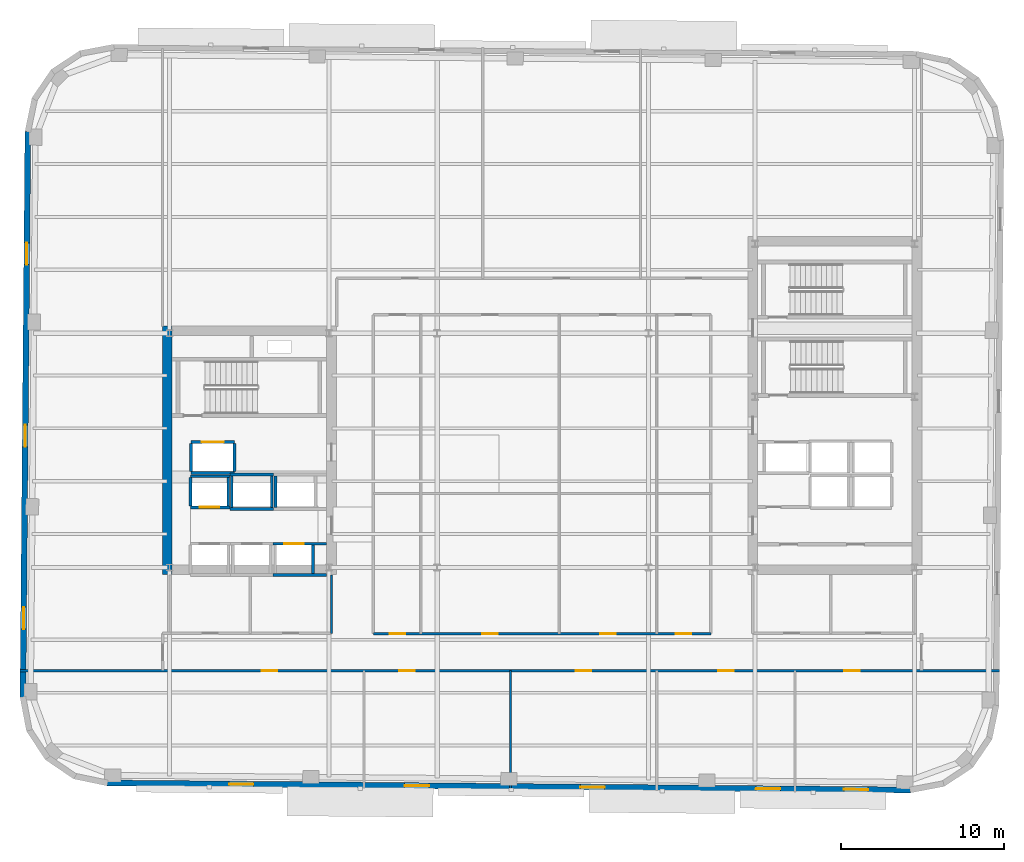
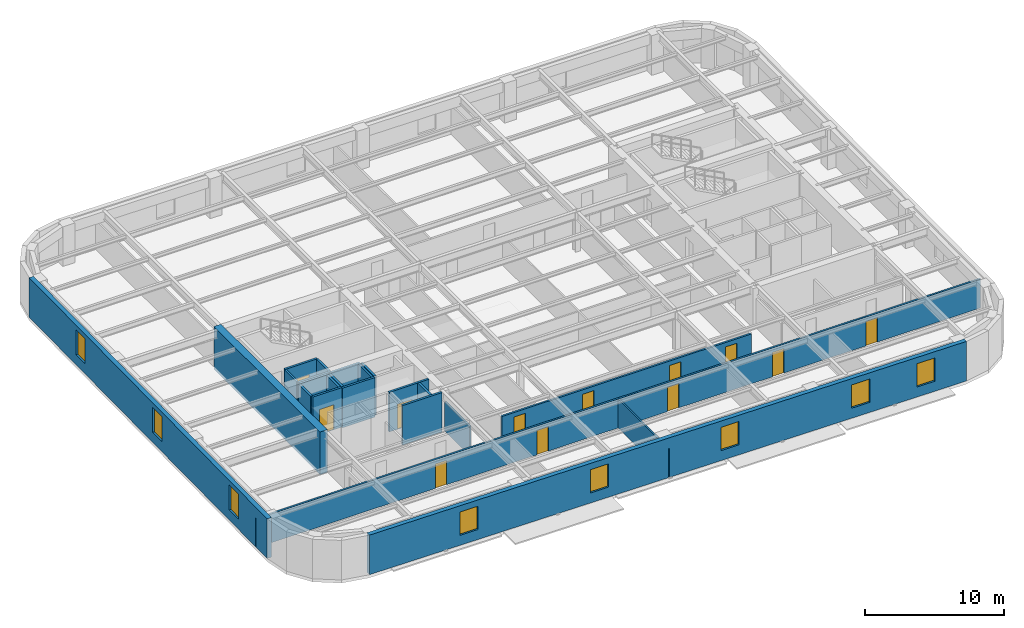
# One storey, part 4 of 11: 23 walls, 12 doors, 8 windows, 20 openings.
"""IFC4 building model written with IfcOpenShell, lengths in metres."""

import ifcopenshell
import ifcopenshell.guid

model = None  # the IFC model being written
_history = None  # IfcOwnerHistory: only IFC2X3 demands one
_inside = {}  # id of a spatial element -> (the spatial element, [elements in it])
_under = {}  # id of a project, library or spatial element -> (it, [spatial elements below it])
_declared = {}  # id of a project -> (the project, [libraries it declares])
_typed = {}  # id of a type object -> (the type object, [elements of that type])
_made_of = {}  # id of a material, layer set ... -> (it, [elements and type objects made of it])


def new_model(schema):
    """Start an empty IFC model of exactly this schema.

    Asked for "IFC4X3", IfcOpenShell would pick the latest addendum, in which some entities
    have other attributes; the version numbers below select the first issue.
    IFC2X3 requires an IfcOwnerHistory on every rooted entity: one is made here for all.
    """
    global model, _history
    if schema == "IFC4X3":
        model = ifcopenshell.file(schema_version=(4, 3, 0, 0))
    else:
        model = ifcopenshell.file(schema=schema)
    _inside.clear()
    _under.clear()
    _declared.clear()
    _typed.clear()
    _made_of.clear()
    _history = None
    if model.schema == "IFC2X3":
        org = make("IfcOrganization", Name="unknown")
        user = make(
            "IfcPersonAndOrganization",
            ThePerson=make("IfcPerson", FamilyName="unknown"),
            TheOrganization=org,
        )
        app = make(
            "IfcApplication",
            ApplicationDeveloper=org,
            Version="unknown",
            ApplicationFullName="unknown",
            ApplicationIdentifier="unknown",
        )
        _history = make(
            "IfcOwnerHistory",
            OwningUser=user,
            OwningApplication=app,
            ChangeAction="ADDED",
            CreationDate=0,
        )
    return model


def make(cls, **values):
    """One entity of the class cls with the attributes given. An attribute that is None is left unset."""
    return model.create_entity(
        cls, **{name: value for name, value in values.items() if value is not None}
    )


def rooted(cls, **values):
    """An entity with a GlobalId (a new one), such as an element, a storey or a relation."""
    return make(cls, GlobalId=ifcopenshell.guid.new(), OwnerHistory=_history, **values)


def si_unit(unit_type, name, prefix=None):
    """IfcSIUnit, for example si_unit("LENGTHUNIT", "METRE", prefix="MILLI")."""
    return make("IfcSIUnit", UnitType=unit_type, Prefix=prefix, Name=name)


def assignment(units):
    """IfcUnitAssignment: the units of a project."""
    return None if units is None else make("IfcUnitAssignment", Units=units)


def point(xyz):
    """IfcCartesianPoint."""
    return None if xyz is None else make("IfcCartesianPoint", Coordinates=xyz)


def direction(xyz):
    """IfcDirection."""
    return None if xyz is None else make("IfcDirection", DirectionRatios=xyz)


def frame(location, z_axis=None, x_axis=None):
    """IfcAxis2Placement3D, a coordinate frame: its origin and axes. An axis left out is left unset."""
    return make(
        "IfcAxis2Placement3D",
        Location=point(location),
        Axis=direction(z_axis),
        RefDirection=direction(x_axis),
    )


def frame_2d(location, x_axis=None):
    """IfcAxis2Placement2D, a coordinate frame in the plane: its origin and x axis."""
    return make(
        "IfcAxis2Placement2D", Location=point(location), RefDirection=direction(x_axis)
    )


def origin():
    """The frame at (0, 0, 0) with its axes left unset."""
    return frame((0.0, 0.0, 0.0))


def place(relative_to, where):
    """IfcLocalPlacement: puts the frame where relative to a parent placement (None: the world)."""
    return make(
        "IfcLocalPlacement", PlacementRelTo=relative_to, RelativePlacement=where
    )


def context(
    kind, dimensions, precision=None, world=None, true_north=None, identifier=None
):
    """IfcGeometricRepresentationContext, for example the 3D "Model" context."""
    return make(
        "IfcGeometricRepresentationContext",
        ContextIdentifier=identifier,
        ContextType=kind,
        CoordinateSpaceDimension=dimensions,
        Precision=precision,
        WorldCoordinateSystem=world,
        TrueNorth=true_north,
    )


def subcontext(parent, identifier, kind, view, scale=None):
    """IfcGeometricRepresentationSubContext, for example "Body" below "Model"."""
    return make(
        "IfcGeometricRepresentationSubContext",
        ContextIdentifier=identifier,
        ContextType=kind,
        ParentContext=parent,
        TargetScale=scale,
        TargetView=view,
    )


def project(units=None, contexts=None):
    """IfcProject with its units and contexts."""
    return rooted(
        "IfcProject",
        Name="project",
        RepresentationContexts=contexts,
        UnitsInContext=assignment(units),
    )


def spatial(cls, under=None, at=None, **own):
    """A site, building, storey or space (cls), placed at a placement, below another one or the project."""
    s = rooted(cls, ObjectPlacement=at, **own)
    if under is not None:
        _under.setdefault(under.id(), (under, []))[1].append(s)
    return s


def profile(cls, at=None, kind="AREA", **sizes):
    """A parametric profile (cls). Its sizes go by their IFC names, for example OverallWidth=200.0."""
    return make(cls, ProfileType=kind, Position=at, **sizes)


def rectangle(**sizes):
    """IfcRectangleProfileDef."""
    return profile("IfcRectangleProfileDef", **sizes)


def extrude(swept, where, along, depth):
    """IfcExtrudedAreaSolid: the profile swept, set in the frame where, extruded along a direction by depth."""
    return make(
        "IfcExtrudedAreaSolid",
        SweptArea=swept,
        Position=where,
        ExtrudedDirection=direction(along),
        Depth=depth,
    )


def shape(context_of_items, identifier, shape_type, items):
    """IfcShapeRepresentation: the items that make up one representation, for example the "Body"."""
    return make(
        "IfcShapeRepresentation",
        ContextOfItems=context_of_items,
        RepresentationIdentifier=identifier,
        RepresentationType=shape_type,
        Items=items,
    )


def material(Name=None, Category=None):
    """IfcMaterial."""
    return make("IfcMaterial", Name=Name, Category=Category)


def layer(
    of_material, thickness, ventilated=None, Name=None, Category=None, Priority=None
):
    """IfcMaterialLayer: one layer of a wall or slab, of a material (None: an air gap)."""
    return make(
        "IfcMaterialLayer",
        Material=of_material,
        LayerThickness=thickness,
        IsVentilated=ventilated,
        Name=Name,
        Category=Category,
        Priority=Priority,
    )


def layer_set(layers, Name=None):
    """IfcMaterialLayerSet."""
    return make("IfcMaterialLayerSet", MaterialLayers=layers, LayerSetName=Name)


def made_of(thing, what):
    """Note that an element or type object is made of a material, layer set ...; save() writes the relation."""
    if what is not None:
        _made_of.setdefault(what.id(), (what, []))[1].append(thing)
    return thing


def type_object(cls, material=None, **own):
    """A type object (cls), such as IfcWallType, which elements share."""
    return made_of(rooted(cls, **own), material)


def element(
    cls,
    number,
    at=None,
    inside=None,
    cuts=None,
    type_object=None,
    material=None,
    context=None,
    identifier="Body",
    shape_type=None,
    held_by="IfcProductDefinitionShape",
    body=None,
    shapes=None,
    **own,
):
    """One element of the class cls, such as IfcWall. Its Tag is "e" and its number.

    at: its placement. inside: the storey or other place that contains it. cuts: it is an
    opening in that element (IfcRelVoidsElement). A single representation is given by context,
    identifier, shape_type and body (its items); several are given by shapes. held_by: the class
    of the entity that holds the representations. save() writes the other relations.
    """
    e = rooted(cls, Tag="e%d" % number, ObjectPlacement=at, **own)
    if body is not None:
        shapes = [shape(context, identifier, shape_type, body)]
    if shapes is not None:
        e.Representation = make(held_by, Representations=shapes)
    if inside is not None:
        _inside.setdefault(inside.id(), (inside, []))[1].append(e)
    if cuts is not None:
        rooted(
            "IfcRelVoidsElement", RelatingBuildingElement=cuts, RelatedOpeningElement=e
        )
    if type_object is not None:
        _typed.setdefault(type_object.id(), (type_object, []))[1].append(e)
    return made_of(e, material)


def fill(opening, filler):
    """IfcRelFillsElement: the door or window that sits in an opening."""
    return rooted(
        "IfcRelFillsElement",
        RelatingOpeningElement=opening,
        RelatedBuildingElement=filler,
    )


def aggregate(whole, parts):
    """IfcRelAggregates: a whole, such as a stair, and the parts it consists of."""
    return rooted("IfcRelAggregates", RelatingObject=whole, RelatedObjects=parts)


def save(model, path):
    """Write the relations noted so far, then the file.

    IfcRelAggregates (storeys below a building ...), IfcRelContainedInSpatialStructure (elements
    in a storey), IfcRelDefinesByType, IfcRelAssociatesMaterial and IfcRelDeclares: one each for
    every whole, place, type object, material and project.
    """
    for whole, parts in _under.values():
        aggregate(whole, parts)
    for where, things in _inside.values():
        rooted(
            "IfcRelContainedInSpatialStructure",
            RelatedElements=things,
            RelatingStructure=where,
        )
    for kind, things in _typed.values():
        rooted("IfcRelDefinesByType", RelatedObjects=things, RelatingType=kind)
    for what, things in _made_of.values():
        rooted("IfcRelAssociatesMaterial", RelatedObjects=things, RelatingMaterial=what)
    for by, libraries in _declared.values():
        rooted("IfcRelDeclares", RelatingContext=by, RelatedDefinitions=libraries)
    model.write(path)


model = new_model("IFC4")

# Units and contexts
model_context = context("Model", 3, precision=1e-05, world=origin(), true_north=direction((0.0, 1.0)))
body_context = subcontext(model_context, "Body", "Model", "MODEL_VIEW")
ifc_project = project(units=[si_unit("LENGTHUNIT", "METRE"), si_unit("AREAUNIT", "SQUARE_METRE"), si_unit("VOLUMEUNIT", "CUBIC_METRE"), si_unit("PLANEANGLEUNIT", "RADIAN"), si_unit("MASSUNIT", "GRAM", prefix="KILO")], contexts=[model_context])

# Site, building, storey
site_placement = place(None, origin())
site = spatial("IfcSite", under=ifc_project, at=site_placement, CompositionType="ELEMENT")
building_placement = place(site_placement, origin())
building = spatial("IfcBuilding", under=site, at=building_placement, Name="Kolvaren Arena Tower", CompositionType="ELEMENT")
storey_placement = place(building_placement, frame((0.0, 0.0, 173.449951171875)))
storey = spatial("IfcBuildingStorey", under=building, at=storey_placement, Name="L41", CompositionType="ELEMENT", Elevation=173.449951171875)

# Wall, openings, doors
ifc_material_1 = material(Name="Gypsum board acoustic assembly", Category="gypsum")
ifc_layer_1 = layer(ifc_material_1, 0.159912109375)
ifc_layer_set_1 = layer_set([ifc_layer_1], Name="Gypsum board acoustic assembly")
wall_type_1 = type_object("IfcWallType", Name="CORR-160", PredefinedType="PARTITIONING", material=ifc_layer_set_1)
wall_1_placement = place(storey_placement, frame((5.363525390625, 13.10009765625, 0.0), z_axis=(0.0, 0.0, 1.0), x_axis=(1.0, 0.0, 0.0)))
wall_1 = element("IfcWall", 1, at=wall_1_placement, inside=storey, type_object=wall_type_1, Name="Interior Partition Wall (L41)", PredefinedType="PARTITIONING", context=body_context, shape_type="SweptSolid", body=[
    extrude(rectangle(XDim=60.202392578125, YDim=0.159912109375, at=frame_2d((30.10107421875, 0.0))), origin(), (0.0, 0.0, 1.0), 2.5400390625),
])
opening_1_placement = place(wall_1_placement, frame((14.861328125, 0.0, 0.0)))
opening_1 = element("IfcOpeningElement", 2, at=opening_1_placement, cuts=wall_1, Name="Opening D05", PredefinedType="OPENING", context=body_context, shape_type="SweptSolid", body=[
    extrude(rectangle(XDim=0.949951171875, YDim=2.14990234375, at=frame_2d((0.47509765625, 1.074951171875))), frame((0.0, 0.08984375, 0.0), z_axis=(0.0, -1.0, 0.0), x_axis=(1.0, 0.0, 0.0)), (0.0, 0.0, 1.0), 0.179931640625),
])
opening_2_placement = place(wall_1_placement, frame((23.311279296875, 0.0, 0.0)))
opening_2 = element("IfcOpeningElement", 3, at=opening_2_placement, cuts=wall_1, Name="Opening D05", PredefinedType="OPENING", context=body_context, shape_type="SweptSolid", body=[
    extrude(rectangle(XDim=0.949951171875, YDim=2.14990234375, at=frame_2d((0.47509765625, 1.074951171875))), frame((0.0, 0.08984375, 0.0), z_axis=(0.0, -1.0, 0.0), x_axis=(1.0, 0.0, 0.0)), (0.0, 0.0, 1.0), 0.179931640625),
])
opening_3_placement = place(wall_1_placement, frame((34.161376953125, 0.0, 0.0)))
opening_3 = element("IfcOpeningElement", 4, at=opening_3_placement, cuts=wall_1, Name="Opening D05", PredefinedType="OPENING", context=body_context, shape_type="SweptSolid", body=[
    extrude(rectangle(XDim=0.949951171875, YDim=2.14990234375, at=frame_2d((0.47509765625, 1.074951171875))), frame((0.0, 0.08984375, 0.0), z_axis=(0.0, -1.0, 0.0), x_axis=(1.0, 0.0, 0.0)), (0.0, 0.0, 1.0), 0.179931640625),
])
opening_4_placement = place(wall_1_placement, frame((42.911376953125, 0.0, 0.0)))
opening_4 = element("IfcOpeningElement", 5, at=opening_4_placement, cuts=wall_1, Name="Opening D05", PredefinedType="OPENING", context=body_context, shape_type="SweptSolid", body=[
    extrude(rectangle(XDim=0.949951171875, YDim=2.14990234375, at=frame_2d((0.47509765625, 1.074951171875))), frame((0.0, 0.08984375, 0.0), z_axis=(0.0, -1.0, 0.0), x_axis=(1.0, 0.0, 0.0)), (0.0, 0.0, 1.0), 0.179931640625),
])
opening_5_placement = place(wall_1_placement, frame((50.661376953125, 0.0, 0.0)))
opening_5 = element("IfcOpeningElement", 6, at=opening_5_placement, cuts=wall_1, Name="Opening D05", PredefinedType="OPENING", context=body_context, shape_type="SweptSolid", body=[
    extrude(rectangle(XDim=0.949951171875, YDim=2.14990234375, at=frame_2d((0.47509765625, 1.074951171875))), frame((0.0, 0.08984375, 0.0), z_axis=(0.0, -1.0, 0.0), x_axis=(1.0, 0.0, 0.0)), (0.0, 0.0, 1.0), 0.179931640625),
])
ifc_material_2 = material(Name="Solid-core oak acoustic office door", Category="wood")
door_type_1 = type_object("IfcDoorType", Name="DOOR-OF-095", OperationType="NOTDEFINED", PredefinedType="DOOR", material=ifc_material_2)
door_1_placement = place(opening_1_placement, origin())
door_1 = element("IfcDoor", 7, at=door_1_placement, inside=storey, type_object=door_type_1, Name="Open Plan Office Door (L41)", OperationType="SINGLE_SWING_LEFT", OverallHeight=2.14990234375, OverallWidth=0.949951171875, PredefinedType="DOOR", context=body_context, shape_type="SweptSolid", body=[
    extrude(rectangle(XDim=0.949951171875, YDim=2.14990234375, at=frame_2d((0.47509765625, 1.074951171875))), frame((0.0, 0.02490234375, 0.0), z_axis=(0.0, -1.0, 0.0), x_axis=(1.0, 0.0, 0.0)), (0.0, 0.0, 1.0), 0.050048828125),
])
fill(opening_1, door_1)
door_2_placement = place(opening_2_placement, origin())
door_2 = element("IfcDoor", 8, at=door_2_placement, inside=storey, type_object=door_type_1, Name="Training Seminar Room Door (L41)", OperationType="SINGLE_SWING_RIGHT", OverallHeight=2.14990234375, OverallWidth=0.949951171875, PredefinedType="DOOR", context=body_context, shape_type="SweptSolid", body=[
    extrude(rectangle(XDim=0.949951171875, YDim=2.14990234375, at=frame_2d((0.47509765625, 1.074951171875))), frame((0.0, 0.02490234375, 0.0), z_axis=(0.0, -1.0, 0.0), x_axis=(1.0, 0.0, 0.0)), (0.0, 0.0, 1.0), 0.050048828125),
])
fill(opening_2, door_2)
door_3_placement = place(opening_3_placement, origin())
door_3 = element("IfcDoor", 9, at=door_3_placement, inside=storey, type_object=door_type_1, Name="Wellness Room Door (L41)", OperationType="SINGLE_SWING_LEFT", OverallHeight=2.14990234375, OverallWidth=0.949951171875, PredefinedType="DOOR", context=body_context, shape_type="SweptSolid", body=[
    extrude(rectangle(XDim=0.949951171875, YDim=2.14990234375, at=frame_2d((0.47509765625, 1.074951171875))), frame((0.0, 0.02490234375, 0.0), z_axis=(0.0, -1.0, 0.0), x_axis=(1.0, 0.0, 0.0)), (0.0, 0.0, 1.0), 0.050048828125),
])
fill(opening_3, door_3)
door_4_placement = place(opening_4_placement, origin())
door_4 = element("IfcDoor", 10, at=door_4_placement, inside=storey, type_object=door_type_1, Name="Executive Office Door (L41)", OperationType="SINGLE_SWING_RIGHT", OverallHeight=2.14990234375, OverallWidth=0.949951171875, PredefinedType="DOOR", context=body_context, shape_type="SweptSolid", body=[
    extrude(rectangle(XDim=0.949951171875, YDim=2.14990234375, at=frame_2d((0.47509765625, 1.074951171875))), frame((0.0, 0.02490234375, 0.0), z_axis=(0.0, -1.0, 0.0), x_axis=(1.0, 0.0, 0.0)), (0.0, 0.0, 1.0), 0.050048828125),
])
fill(opening_4, door_4)
door_5_placement = place(opening_5_placement, origin())
door_5 = element("IfcDoor", 11, at=door_5_placement, inside=storey, type_object=door_type_1, Name="Boardroom Door (L41)", OperationType="SINGLE_SWING_LEFT", OverallHeight=2.14990234375, OverallWidth=0.949951171875, PredefinedType="DOOR", context=body_context, shape_type="SweptSolid", body=[
    extrude(rectangle(XDim=0.949951171875, YDim=2.14990234375, at=frame_2d((0.47509765625, 1.074951171875))), frame((0.0, 0.02490234375, 0.0), z_axis=(0.0, -1.0, 0.0), x_axis=(1.0, 0.0, 0.0)), (0.0, 0.0, 1.0), 0.050048828125),
])
fill(opening_5, door_5)

wall_2_placement = place(storey_placement, frame((27.080078125, 15.3798828125, 0.0), z_axis=(0.0, 0.0, 1.0), x_axis=(1.0, 0.0, 0.0)))
wall_2 = element("IfcWall", 12, at=wall_2_placement, inside=storey, type_object=wall_type_1, Name="Interior Partition Wall (L41)", PredefinedType="PARTITIONING", context=body_context, shape_type="SweptSolid", body=[
    extrude(rectangle(XDim=20.739990234375, YDim=0.159912109375, at=frame_2d((10.3701171875, 0.0))), origin(), (0.0, 0.0, 1.0), 2.5400390625),
])
opening_6_placement = place(wall_2_placement, frame((0.9951171875, 0.0, 0.0)))
opening_6 = element("IfcOpeningElement", 13, at=opening_6_placement, cuts=wall_2, Name="Opening D05", PredefinedType="OPENING", context=body_context, shape_type="SweptSolid", body=[
    extrude(rectangle(XDim=0.949951171875, YDim=2.14990234375, at=frame_2d((0.47509765625, 1.074951171875))), frame((0.0, 0.08984375, 0.0), z_axis=(0.0, -1.0, 0.0), x_axis=(1.0, 0.0, 0.0)), (0.0, 0.0, 1.0), 0.179931640625),
])
opening_7_placement = place(wall_2_placement, frame((6.695068359375, 0.0, 0.0)))
opening_7 = element("IfcOpeningElement", 14, at=opening_7_placement, cuts=wall_2, Name="Opening D05", PredefinedType="OPENING", context=body_context, shape_type="SweptSolid", body=[
    extrude(rectangle(XDim=0.949951171875, YDim=2.14990234375, at=frame_2d((0.47509765625, 1.074951171875))), frame((0.0, 0.08984375, 0.0), z_axis=(0.0, -1.0, 0.0), x_axis=(1.0, 0.0, 0.0)), (0.0, 0.0, 1.0), 0.179931640625),
])
opening_8_placement = place(wall_2_placement, frame((13.945068359375, 0.0, 0.0)))
opening_8 = element("IfcOpeningElement", 15, at=opening_8_placement, cuts=wall_2, Name="Opening D05", PredefinedType="OPENING", context=body_context, shape_type="SweptSolid", body=[
    extrude(rectangle(XDim=0.949951171875, YDim=2.14990234375, at=frame_2d((0.47509765625, 1.074951171875))), frame((0.0, 0.08984375, 0.0), z_axis=(0.0, -1.0, 0.0), x_axis=(1.0, 0.0, 0.0)), (0.0, 0.0, 1.0), 0.179931640625),
])
opening_9_placement = place(wall_2_placement, frame((18.594970703125, 0.0, 0.0)))
opening_9 = element("IfcOpeningElement", 16, at=opening_9_placement, cuts=wall_2, Name="Opening D05", PredefinedType="OPENING", context=body_context, shape_type="SweptSolid", body=[
    extrude(rectangle(XDim=0.949951171875, YDim=2.14990234375, at=frame_2d((0.47509765625, 1.074951171875))), frame((0.0, 0.08984375, 0.0), z_axis=(0.0, -1.0, 0.0), x_axis=(1.0, 0.0, 0.0)), (0.0, 0.0, 1.0), 0.179931640625),
])
door_6_placement = place(opening_6_placement, origin())
door_6 = element("IfcDoor", 17, at=door_6_placement, inside=storey, type_object=door_type_1, Name="Executive Office Door (L41)", OperationType="SINGLE_SWING_RIGHT", OverallHeight=2.14990234375, OverallWidth=0.949951171875, PredefinedType="DOOR", context=body_context, shape_type="SweptSolid", body=[
    extrude(rectangle(XDim=0.949951171875, YDim=2.14990234375, at=frame_2d((0.47509765625, 1.074951171875))), frame((0.0, 0.02490234375, 0.0), z_axis=(0.0, -1.0, 0.0), x_axis=(1.0, 0.0, 0.0)), (0.0, 0.0, 1.0), 0.050048828125),
])
fill(opening_6, door_6)
door_7_placement = place(opening_7_placement, origin())
door_7 = element("IfcDoor", 18, at=door_7_placement, inside=storey, type_object=door_type_1, Name="Breakout Pantry and Kitchen Door (L41)", OperationType="SINGLE_SWING_RIGHT", OverallHeight=2.14990234375, OverallWidth=0.949951171875, PredefinedType="DOOR", context=body_context, shape_type="SweptSolid", body=[
    extrude(rectangle(XDim=0.949951171875, YDim=2.14990234375, at=frame_2d((0.47509765625, 1.074951171875))), frame((0.0, 0.02490234375, 0.0), z_axis=(0.0, -1.0, 0.0), x_axis=(1.0, 0.0, 0.0)), (0.0, 0.0, 1.0), 0.050048828125),
])
fill(opening_7, door_7)
door_8_placement = place(opening_8_placement, origin())
door_8 = element("IfcDoor", 19, at=door_8_placement, inside=storey, type_object=door_type_1, Name="Training Seminar Room Door (L41)", OperationType="SINGLE_SWING_RIGHT", OverallHeight=2.14990234375, OverallWidth=0.949951171875, PredefinedType="DOOR", context=body_context, shape_type="SweptSolid", body=[
    extrude(rectangle(XDim=0.949951171875, YDim=2.14990234375, at=frame_2d((0.47509765625, 1.074951171875))), frame((0.0, 0.02490234375, 0.0), z_axis=(0.0, -1.0, 0.0), x_axis=(1.0, 0.0, 0.0)), (0.0, 0.0, 1.0), 0.050048828125),
])
fill(opening_8, door_8)
door_9_placement = place(opening_9_placement, origin())
door_9 = element("IfcDoor", 20, at=door_9_placement, inside=storey, type_object=door_type_1, Name="Executive Office Door (L41)", OperationType="SINGLE_SWING_RIGHT", OverallHeight=2.14990234375, OverallWidth=0.949951171875, PredefinedType="DOOR", context=body_context, shape_type="SweptSolid", body=[
    extrude(rectangle(XDim=0.949951171875, YDim=2.14990234375, at=frame_2d((0.47509765625, 1.074951171875))), frame((0.0, 0.02490234375, 0.0), z_axis=(0.0, -1.0, 0.0), x_axis=(1.0, 0.0, 0.0)), (0.0, 0.0, 1.0), 0.050048828125),
])
fill(opening_9, door_9)

# Wall
ifc_material_3 = material(Name="Concrete 60 MPa", Category="concrete")
ifc_layer_2 = layer(ifc_material_3, 0.60009765625)
ifc_layer_set_2 = layer_set([ifc_layer_2], Name="Concrete 60 MPa")
wall_type_2 = type_object("IfcWallType", Name="CWALL-600", PredefinedType="SHEAR", material=ifc_layer_set_2)
wall_3_placement = place(storey_placement, frame((14.39990234375, 19.0, -0.27001953125), z_axis=(0.0, 0.0, 1.0), x_axis=(0.0, 1.0, 0.0)))
element("IfcWall", 21, at=wall_3_placement, inside=storey, type_object=wall_type_2, Name="Core Shear Wall WC-WEST (L41)", PredefinedType="SHEAR", context=body_context, shape_type="SweptSolid", body=[
    extrude(rectangle(XDim=15.300048828125, YDim=0.60009765625, at=frame_2d((7.64990234375, 0.0))), origin(), (0.0, 0.0, 1.0), 3.75),
])

# Wall, openings, windows
ifc_material_4 = material(Name="Precast concrete C50/60", Category="concrete")
ifc_layer_3 = layer(ifc_material_4, 0.360107421875)
ifc_layer_set_3 = layer_set([ifc_layer_3], Name="Precast concrete C50/60")
wall_type_3 = type_object("IfcWallType", Name="EXT-PIER2", PredefinedType="SOLIDWALL", material=ifc_layer_set_3)
wall_4_placement = place(storey_placement, frame((5.529296875, 11.461669921875, 0.0), z_axis=(0.0, 0.0, 1.0), x_axis=(0.008727287311, 0.999961916503, 0.0)))
wall_4 = element("IfcWall", 22, at=wall_4_placement, inside=storey, type_object=wall_type_3, Name="Exterior Precast Masonry-Frame Wall (L41)", PredefinedType="SOLIDWALL", context=body_context, shape_type="SweptSolid", body=[
    extrude(rectangle(XDim=34.800048828125, YDim=0.360107421875, at=frame_2d((17.39990234375, 0.0))), origin(), (0.0, 0.0, 1.0), 3.47998046875),
])
opening_10_placement = place(wall_4_placement, frame((4.199951171875, 0.0, 0.8798828125)))
opening_10 = element("IfcOpeningElement", 23, at=opening_10_placement, cuts=wall_4, Name="Opening W04", PredefinedType="OPENING", context=body_context, shape_type="SweptSolid", body=[
    extrude(rectangle(XDim=1.35009765625, YDim=2.199951171875, at=frame_2d((0.675048828125, 1.10009765625))), frame((0.0, 0.18994140625, 0.0), z_axis=(0.0, -1.0, 0.0), x_axis=(1.0, 0.0, 0.0)), (0.0, 0.0, 1.0), 0.380126953125),
])
opening_11_placement = place(wall_4_placement, frame((15.39990234375, 0.0, 0.8798828125)))
opening_11 = element("IfcOpeningElement", 24, at=opening_11_placement, cuts=wall_4, Name="Opening W04", PredefinedType="OPENING", context=body_context, shape_type="SweptSolid", body=[
    extrude(rectangle(XDim=1.35009765625, YDim=2.199951171875, at=frame_2d((0.675048828125, 1.10009765625))), frame((0.0, 0.18994140625, 0.0), z_axis=(0.0, -1.0, 0.0), x_axis=(1.0, 0.0, 0.0)), (0.0, 0.0, 1.0), 0.380126953125),
])
opening_12_placement = place(wall_4_placement, frame((26.60009765625, 0.0, 0.8798828125)))
opening_12 = element("IfcOpeningElement", 25, at=opening_12_placement, cuts=wall_4, Name="Opening W04", PredefinedType="OPENING", context=body_context, shape_type="SweptSolid", body=[
    extrude(rectangle(XDim=1.35009765625, YDim=2.199951171875, at=frame_2d((0.675048828125, 1.10009765625))), frame((0.0, 0.18994140625, 0.0), z_axis=(0.0, -1.0, 0.0), x_axis=(1.0, 0.0, 0.0)), (0.0, 0.0, 1.0), 0.380126953125),
])
ifc_material_5 = material(Name="Triple-glazed curved-facet corner window", Category="glass")
window_type_1 = type_object("IfcWindowType", Name="WIN-CRN-A", PartitioningType="SINGLE_PANEL", PredefinedType="WINDOW", material=ifc_material_5)
window_1_placement = place(opening_10_placement, origin())
window_1 = element("IfcWindow", 26, at=window_1_placement, inside=storey, type_object=window_type_1, Name="End-Wall Punched Window (L41)", OverallHeight=2.199951171875, OverallWidth=1.35009765625, PartitioningType="SINGLE_PANEL", PredefinedType="WINDOW", context=body_context, shape_type="SweptSolid", body=[
    extrude(rectangle(XDim=1.35009765625, YDim=2.199951171875, at=frame_2d((0.675048828125, 1.10009765625))), frame((0.0, 0.030029296875, 0.0), z_axis=(0.0, -1.0, 0.0), x_axis=(1.0, 0.0, 0.0)), (0.0, 0.0, 1.0), 0.06005859375),
])
fill(opening_10, window_1)
window_2_placement = place(opening_11_placement, origin())
window_2 = element("IfcWindow", 27, at=window_2_placement, inside=storey, type_object=window_type_1, Name="End-Wall Punched Window (L41)", OverallHeight=2.199951171875, OverallWidth=1.35009765625, PartitioningType="SINGLE_PANEL", PredefinedType="WINDOW", context=body_context, shape_type="SweptSolid", body=[
    extrude(rectangle(XDim=1.35009765625, YDim=2.199951171875, at=frame_2d((0.675048828125, 1.10009765625))), frame((0.0, 0.030029296875, 0.0), z_axis=(0.0, -1.0, 0.0), x_axis=(1.0, 0.0, 0.0)), (0.0, 0.0, 1.0), 0.06005859375),
])
fill(opening_11, window_2)
window_3_placement = place(opening_12_placement, origin())
window_3 = element("IfcWindow", 28, at=window_3_placement, inside=storey, type_object=window_type_1, Name="End-Wall Punched Window (L41)", OverallHeight=2.199951171875, OverallWidth=1.35009765625, PartitioningType="SINGLE_PANEL", PredefinedType="WINDOW", context=body_context, shape_type="SweptSolid", body=[
    extrude(rectangle(XDim=1.35009765625, YDim=2.199951171875, at=frame_2d((0.675048828125, 1.10009765625))), frame((0.0, 0.030029296875, 0.0), z_axis=(0.0, -1.0, 0.0), x_axis=(1.0, 0.0, 0.0)), (0.0, 0.0, 1.0), 0.06005859375),
])
fill(opening_12, window_3)

wall_5_placement = place(storey_placement, frame((60.101806640625, 5.765380859375, 0.0), z_axis=(0.0, 0.0, 1.0), x_axis=(-0.999961955436, 0.008722825272, 0.0)))
wall_5 = element("IfcWall", 29, at=wall_5_placement, inside=storey, type_object=wall_type_3, Name="Exterior Precast Masonry-Frame Wall (L41)", PredefinedType="SOLIDWALL", context=body_context, shape_type="SweptSolid", body=[
    extrude(rectangle(XDim=49.400146484375, YDim=0.360107421875, at=frame_2d((24.7001953125, 0.0))), origin(), (0.0, 0.0, 1.0), 3.47998046875),
])
opening_13_placement = place(wall_5_placement, frame((2.60009765625, 0.0, 0.8798828125)))
opening_13 = element("IfcOpeningElement", 30, at=opening_13_placement, cuts=wall_5, Name="Opening W03", PredefinedType="OPENING", context=body_context, shape_type="SweptSolid", body=[
    extrude(rectangle(XDim=1.5, YDim=2.050048828125, at=frame_2d((0.75, 1.02490234375))), frame((0.0, 0.18994140625, 0.0), z_axis=(0.0, -1.0, 0.0), x_axis=(1.0, 0.0, 0.0)), (0.0, 0.0, 1.0), 0.380126953125),
])
opening_14_placement = place(wall_5_placement, frame((8.0, 0.0, 0.8798828125)))
opening_14 = element("IfcOpeningElement", 31, at=opening_14_placement, cuts=wall_5, Name="Opening W03", PredefinedType="OPENING", context=body_context, shape_type="SweptSolid", body=[
    extrude(rectangle(XDim=1.5, YDim=2.050048828125, at=frame_2d((0.75, 1.02490234375))), frame((0.0, 0.18994140625, 0.0), z_axis=(0.0, -1.0, 0.0), x_axis=(1.0, 0.0, 0.0)), (0.0, 0.0, 1.0), 0.380126953125),
])
opening_15_placement = place(wall_5_placement, frame((18.800048828125, 0.0, 0.8798828125)))
opening_15 = element("IfcOpeningElement", 32, at=opening_15_placement, cuts=wall_5, Name="Opening W03", PredefinedType="OPENING", context=body_context, shape_type="SweptSolid", body=[
    extrude(rectangle(XDim=1.5, YDim=2.050048828125, at=frame_2d((0.75, 1.02490234375))), frame((0.0, 0.18994140625, 0.0), z_axis=(0.0, -1.0, 0.0), x_axis=(1.0, 0.0, 0.0)), (0.0, 0.0, 1.0), 0.380126953125),
])
opening_16_placement = place(wall_5_placement, frame((29.60009765625, 0.0, 0.8798828125)))
opening_16 = element("IfcOpeningElement", 33, at=opening_16_placement, cuts=wall_5, Name="Opening W03", PredefinedType="OPENING", context=body_context, shape_type="SweptSolid", body=[
    extrude(rectangle(XDim=1.5, YDim=2.050048828125, at=frame_2d((0.75, 1.02490234375))), frame((0.0, 0.18994140625, 0.0), z_axis=(0.0, -1.0, 0.0), x_axis=(1.0, 0.0, 0.0)), (0.0, 0.0, 1.0), 0.380126953125),
])
opening_17_placement = place(wall_5_placement, frame((40.39990234375, 0.0, 0.8798828125)))
opening_17 = element("IfcOpeningElement", 34, at=opening_17_placement, cuts=wall_5, Name="Opening W03", PredefinedType="OPENING", context=body_context, shape_type="SweptSolid", body=[
    extrude(rectangle(XDim=1.5, YDim=2.050048828125, at=frame_2d((0.75, 1.02490234375))), frame((0.0, 0.18994140625, 0.0), z_axis=(0.0, -1.0, 0.0), x_axis=(1.0, 0.0, 0.0)), (0.0, 0.0, 1.0), 0.380126953125),
])
ifc_material_6 = material(Name="Triple-glazed low-E aluminium window", Category="aluminium")
window_type_2 = type_object("IfcWindowType", Name="WIN-OFF-C", PartitioningType="SINGLE_PANEL", PredefinedType="WINDOW", material=ifc_material_6)
window_4_placement = place(opening_13_placement, origin())
window_4 = element("IfcWindow", 35, at=window_4_placement, inside=storey, type_object=window_type_2, Name="Punched Precast-Pier Window (L41)", OverallHeight=2.050048828125, OverallWidth=1.5, PartitioningType="SINGLE_PANEL", PredefinedType="WINDOW", context=body_context, shape_type="SweptSolid", body=[
    extrude(rectangle(XDim=1.5, YDim=2.050048828125, at=frame_2d((0.75, 1.02490234375))), frame((0.0, 0.030029296875, 0.0), z_axis=(0.0, -1.0, 0.0), x_axis=(1.0, 0.0, 0.0)), (0.0, 0.0, 1.0), 0.06005859375),
])
fill(opening_13, window_4)
window_5_placement = place(opening_14_placement, origin())
window_5 = element("IfcWindow", 36, at=window_5_placement, inside=storey, type_object=window_type_2, Name="Punched Precast-Pier Window (L41)", OverallHeight=2.050048828125, OverallWidth=1.5, PartitioningType="SINGLE_PANEL", PredefinedType="WINDOW", context=body_context, shape_type="SweptSolid", body=[
    extrude(rectangle(XDim=1.5, YDim=2.050048828125, at=frame_2d((0.75, 1.02490234375))), frame((0.0, 0.030029296875, 0.0), z_axis=(0.0, -1.0, 0.0), x_axis=(1.0, 0.0, 0.0)), (0.0, 0.0, 1.0), 0.06005859375),
])
fill(opening_14, window_5)
window_6_placement = place(opening_15_placement, origin())
window_6 = element("IfcWindow", 37, at=window_6_placement, inside=storey, type_object=window_type_2, Name="Punched Precast-Pier Window (L41)", OverallHeight=2.050048828125, OverallWidth=1.5, PartitioningType="SINGLE_PANEL", PredefinedType="WINDOW", context=body_context, shape_type="SweptSolid", body=[
    extrude(rectangle(XDim=1.5, YDim=2.050048828125, at=frame_2d((0.75, 1.02490234375))), frame((0.0, 0.030029296875, 0.0), z_axis=(0.0, -1.0, 0.0), x_axis=(1.0, 0.0, 0.0)), (0.0, 0.0, 1.0), 0.06005859375),
])
fill(opening_15, window_6)
window_7_placement = place(opening_16_placement, origin())
window_7 = element("IfcWindow", 38, at=window_7_placement, inside=storey, type_object=window_type_2, Name="Punched Precast-Pier Window (L41)", OverallHeight=2.050048828125, OverallWidth=1.5, PartitioningType="SINGLE_PANEL", PredefinedType="WINDOW", context=body_context, shape_type="SweptSolid", body=[
    extrude(rectangle(XDim=1.5, YDim=2.050048828125, at=frame_2d((0.75, 1.02490234375))), frame((0.0, 0.030029296875, 0.0), z_axis=(0.0, -1.0, 0.0), x_axis=(1.0, 0.0, 0.0)), (0.0, 0.0, 1.0), 0.06005859375),
])
fill(opening_16, window_7)
window_8_placement = place(opening_17_placement, origin())
window_8 = element("IfcWindow", 39, at=window_8_placement, inside=storey, type_object=window_type_2, Name="Punched Precast-Pier Window (L41)", OverallHeight=2.050048828125, OverallWidth=1.5, PartitioningType="SINGLE_PANEL", PredefinedType="WINDOW", context=body_context, shape_type="SweptSolid", body=[
    extrude(rectangle(XDim=1.5, YDim=2.050048828125, at=frame_2d((0.75, 1.02490234375))), frame((0.0, 0.030029296875, 0.0), z_axis=(0.0, -1.0, 0.0), x_axis=(1.0, 0.0, 0.0)), (0.0, 0.0, 1.0), 0.06005859375),
])
fill(opening_17, window_8)

# Wall
ifc_material_7 = material(Name="Gypsum board partition assembly", Category="gypsum")
ifc_layer_4 = layer(ifc_material_7, 0.135009765625)
ifc_layer_set_4 = layer_set([ifc_layer_4], Name="Gypsum board partition assembly")
wall_type_4 = type_object("IfcWallType", Name="PART-135", PredefinedType="PARTITIONING", material=ifc_layer_set_4)
wall_6_placement = place(storey_placement, frame((35.5, 5.800048828125, 0.0), z_axis=(0.0, 0.0, 1.0), x_axis=(0.0, 1.0, 0.0)))
element("IfcWall", 40, at=wall_6_placement, inside=storey, type_object=wall_type_4, Name="Interior Partition Wall (L41)", PredefinedType="PARTITIONING", context=body_context, shape_type="SweptSolid", body=[
    extrude(rectangle(XDim=7.300048828125, YDim=0.135009765625, at=frame_2d((3.64990234375, 0.0))), origin(), (0.0, 0.0, 1.0), 2.5400390625),
])

# Wall, opening, door
ifc_material_8 = material(Name="Concrete 45 MPa", Category="concrete")
ifc_layer_5 = layer(ifc_material_8, 0.25)
ifc_layer_set_5 = layer_set([ifc_layer_5], Name="Concrete 45 MPa")
wall_type_5 = type_object("IfcWallType", Name="SHAFT-250", PredefinedType="SOLIDWALL", material=ifc_layer_set_5)
wall_7_placement = place(storey_placement, frame((20.89990234375, 20.905029296875, 0.0), z_axis=(0.0, 0.0, 1.0), x_axis=(1.0, 0.0, 0.0)))
wall_7 = element("IfcWall", 41, at=wall_7_placement, inside=storey, type_object=wall_type_5, Name="Core Shaft Wall (L41)", PredefinedType="SOLIDWALL", context=body_context, shape_type="SweptSolid", body=[
    extrude(rectangle(XDim=3.300048828125, YDim=0.179931640625, at=frame_2d((1.64990234375, 0.0))), origin(), (0.0, 0.0, 1.0), 3.47998046875),
])
opening_18_placement = place(wall_7_placement, frame((0.699951171875, 0.0, 0.0)))
opening_18 = element("IfcOpeningElement", 42, at=opening_18_placement, cuts=wall_7, Name="Opening LD1", PredefinedType="OPENING", context=body_context, shape_type="SweptSolid", body=[
    extrude(rectangle(XDim=1.199951171875, YDim=2.199951171875, at=frame_2d((0.60009765625, 1.10009765625))), frame((0.0, 0.099853515625, 0.0), z_axis=(0.0, -1.0, 0.0), x_axis=(1.0, 0.0, 0.0)), (0.0, 0.0, 1.0), 0.199951171875),
])
ifc_material_9 = material(Name="Stainless steel passenger lift landing door", Category="steel")
door_type_2 = type_object("IfcDoorType", Name="DOOR-LD-120", OperationType="DOUBLE_DOOR_SLIDING", PredefinedType="DOOR", material=ifc_material_9)
door_10_placement = place(opening_18_placement, origin())
door_10 = element("IfcDoor", 43, at=door_10_placement, inside=storey, type_object=door_type_2, Name="Lift EL-MR3 Landing Door (L41)", OperationType="DOUBLE_DOOR_SLIDING", OverallHeight=2.199951171875, OverallWidth=1.199951171875, PredefinedType="DOOR", context=body_context, shape_type="SweptSolid", body=[
    extrude(rectangle(XDim=1.199951171875, YDim=2.199951171875, at=frame_2d((0.60009765625, 1.10009765625))), frame((0.0, 0.02490234375, 0.0), z_axis=(0.0, -1.0, 0.0), x_axis=(1.0, 0.0, 0.0)), (0.0, 0.0, 1.0), 0.050048828125),
])
fill(opening_18, door_10)

# Walls
wall_8_placement = place(storey_placement, frame((20.89990234375, 18.9951171875, 0.0), z_axis=(0.0, 0.0, 1.0), x_axis=(1.0, 0.0, 0.0)))
element("IfcWall", 44, at=wall_8_placement, inside=storey, type_object=wall_type_5, Name="Core Shaft Wall (L41)", PredefinedType="SOLIDWALL", context=body_context, shape_type="SweptSolid", body=[
    extrude(rectangle(XDim=3.300048828125, YDim=0.179931640625, at=frame_2d((1.64990234375, 0.0))), origin(), (0.0, 0.0, 1.0), 3.47998046875),
])
wall_9_placement = place(storey_placement, frame((23.35498046875, 19.0849609375, 0.0), z_axis=(0.0, 0.0, 1.0), x_axis=(0.0, 1.0, 0.0)))
element("IfcWall", 45, at=wall_9_placement, inside=storey, type_object=wall_type_5, Name="Core Shaft Wall (L41)", PredefinedType="SOLIDWALL", context=body_context, shape_type="SweptSolid", body=[
    extrude(rectangle(XDim=1.72998046875, YDim=0.179931640625, at=frame_2d((0.864990234375, 0.0))), origin(), (0.0, 0.0, 1.0), 3.47998046875),
])
wall_10_placement = place(storey_placement, frame((15.844970703125, 25.054931640625, 0.0), z_axis=(0.0, 0.0, 1.0), x_axis=(1.0, 0.0, 0.0)))
element("IfcWall", 46, at=wall_10_placement, inside=storey, type_object=wall_type_5, Name="Core Shaft Wall (L41)", PredefinedType="SOLIDWALL", context=body_context, shape_type="SweptSolid", body=[
    extrude(rectangle(XDim=2.41748046875, YDim=0.179931640625, at=frame_2d((1.208740234375, 0.0))), origin(), (0.0, 0.0, 1.0), 3.47998046875),
])

# Wall, opening, door
wall_11_placement = place(storey_placement, frame((15.844970703125, 23.14501953125, 0.0), z_axis=(0.0, 0.0, 1.0), x_axis=(1.0, 0.0, 0.0)))
wall_11 = element("IfcWall", 47, at=wall_11_placement, inside=storey, type_object=wall_type_5, Name="Core Shaft Wall (L41)", PredefinedType="SOLIDWALL", context=body_context, shape_type="SweptSolid", body=[
    extrude(rectangle(XDim=2.41748046875, YDim=0.179931640625, at=frame_2d((1.208740234375, 0.0))), origin(), (0.0, 0.0, 1.0), 3.47998046875),
])
opening_19_placement = place(wall_11_placement, frame((0.554931640625, 0.0, 0.0)))
opening_19 = element("IfcOpeningElement", 48, at=opening_19_placement, cuts=wall_11, Name="Opening LD1", PredefinedType="OPENING", context=body_context, shape_type="SweptSolid", body=[
    extrude(rectangle(XDim=1.199951171875, YDim=2.199951171875, at=frame_2d((0.60009765625, 1.10009765625))), frame((0.0, 0.099853515625, 0.0), z_axis=(0.0, -1.0, 0.0), x_axis=(1.0, 0.0, 0.0)), (0.0, 0.0, 1.0), 0.199951171875),
])
door_11_placement = place(opening_19_placement, origin())
door_11 = element("IfcDoor", 49, at=door_11_placement, inside=storey, type_object=door_type_2, Name="Lift EL-MR4 Landing Door (L41)", OperationType="DOUBLE_DOOR_SLIDING", OverallHeight=2.199951171875, OverallWidth=1.199951171875, PredefinedType="DOOR", context=body_context, shape_type="SweptSolid", body=[
    extrude(rectangle(XDim=1.199951171875, YDim=2.199951171875, at=frame_2d((0.60009765625, 1.10009765625))), frame((0.0, 0.02490234375, 0.0), z_axis=(0.0, -1.0, 0.0), x_axis=(1.0, 0.0, 0.0)), (0.0, 0.0, 1.0), 0.050048828125),
])
fill(opening_19, door_11)

# Walls
for number, where, z_axis, x_axis, name in (
    (50, (15.844970703125, 23.235107421875, 0.0), (0.0, 0.0, 1.0), (0.0, 1.0, 0.0), "Core Shaft Wall (L41)"),
    (51, (18.155029296875, 23.235107421875, 0.0), (0.0, 0.0, 1.0), (0.0, 1.0, 0.0), "Core Shaft Wall (L41)"),
):
    element("IfcWall", number, at=place(storey_placement, frame(where, z_axis=z_axis, x_axis=x_axis)), inside=storey, type_object=wall_type_5, Name=name, PredefinedType="SOLIDWALL", context=body_context, shape_type="SweptSolid", body=[
        extrude(rectangle(XDim=1.72998046875, YDim=0.179931640625, at=frame_2d((0.864990234375, 0.0))), origin(), (0.0, 0.0, 1.0), 3.47998046875),
    ])
for number, where, z_axis, x_axis, name in (
    (52, (18.262451171875, 25.155029296875, 0.0), (0.0, 0.0, 1.0), (1.0, 0.0, 0.0), "Core Shaft Wall (L41)"),
    (53, (18.262451171875, 23.044921875, 0.0), (0.0, 0.0, 1.0), (1.0, 0.0, 0.0), "Core Shaft Wall (L41)"),
):
    element("IfcWall", number, at=place(storey_placement, frame(where, z_axis=z_axis, x_axis=x_axis)), inside=storey, type_object=wall_type_5, Name=name, PredefinedType="SOLIDWALL", context=body_context, shape_type="SweptSolid", body=[
        extrude(rectangle(XDim=2.6875, YDim=0.179931640625, at=frame_2d((1.34375, 0.0))), origin(), (0.0, 0.0, 1.0), 3.47998046875),
    ])
for number, where, z_axis, x_axis, name in (
    (54, (18.3701171875, 23.135009765625, 0.0), (0.0, 0.0, 1.0), (0.0, 1.0, 0.0), "Core Shaft Wall (L41)"),
    (55, (20.830078125, 23.135009765625, 0.0), (0.0, 0.0, 1.0), (0.0, 1.0, 0.0), "Core Shaft Wall (L41)"),
    (56, (21.070068359375, 23.135009765625, 0.0), (0.0, 0.0, 1.0), (0.0, 1.0, 0.0), "Core Shaft Wall (L41)"),
):
    element("IfcWall", number, at=place(storey_placement, frame(where, z_axis=z_axis, x_axis=x_axis)), inside=storey, type_object=wall_type_5, Name=name, PredefinedType="SOLIDWALL", context=body_context, shape_type="SweptSolid", body=[
        extrude(rectangle(XDim=1.929931640625, YDim=0.179931640625, at=frame_2d((0.96484375, 0.0))), origin(), (0.0, 0.0, 1.0), 3.47998046875),
    ])

# Wall, opening, door
wall_12_placement = place(storey_placement, frame((15.8701171875, 27.155029296875, 0.0), z_axis=(0.0, 0.0, 1.0), x_axis=(1.0, 0.0, 0.0)))
wall_12 = element("IfcWall", 57, at=wall_12_placement, inside=storey, type_object=wall_type_5, Name="Core Shaft Wall (L41)", PredefinedType="SOLIDWALL", context=body_context, shape_type="SweptSolid", body=[
    extrude(rectangle(XDim=2.659912109375, YDim=0.179931640625, at=frame_2d((1.330078125, 0.0))), origin(), (0.0, 0.0, 1.0), 3.47998046875),
])
opening_20_placement = place(wall_12_placement, frame((0.655029296875, 0.0, 0.0)))
opening_20 = element("IfcOpeningElement", 58, at=opening_20_placement, cuts=wall_12, Name="Opening LD2", PredefinedType="OPENING", context=body_context, shape_type="SweptSolid", body=[
    extrude(rectangle(XDim=1.35009765625, YDim=2.300048828125, at=frame_2d((0.675048828125, 1.14990234375))), frame((0.0, 0.099853515625, 0.0), z_axis=(0.0, -1.0, 0.0), x_axis=(1.0, 0.0, 0.0)), (0.0, 0.0, 1.0), 0.199951171875),
])
ifc_material_10 = material(Name="Stainless steel firefighter lift landing door", Category="steel")
door_type_3 = type_object("IfcDoorType", Name="DOOR-LD-135", OperationType="DOUBLE_DOOR_SLIDING", PredefinedType="DOOR", material=ifc_material_10)
door_12_placement = place(opening_20_placement, origin())
door_12 = element("IfcDoor", 59, at=door_12_placement, inside=storey, type_object=door_type_3, Name="Firefighter Lift FF-W1 Landing Door (L41)", OperationType="DOUBLE_DOOR_SLIDING", OverallHeight=2.300048828125, OverallWidth=1.35009765625, PredefinedType="DOOR", context=body_context, shape_type="SweptSolid", body=[
    extrude(rectangle(XDim=1.35009765625, YDim=2.300048828125, at=frame_2d((0.675048828125, 1.14990234375))), frame((0.0, 0.02490234375, 0.0), z_axis=(0.0, -1.0, 0.0), x_axis=(1.0, 0.0, 0.0)), (0.0, 0.0, 1.0), 0.050048828125),
])
fill(opening_20, door_12)

# Walls
wall_13_placement = place(storey_placement, frame((15.8701171875, 25.2451171875, 0.0), z_axis=(0.0, 0.0, 1.0), x_axis=(1.0, 0.0, 0.0)))
element("IfcWall", 60, at=wall_13_placement, inside=storey, type_object=wall_type_5, Name="Core Shaft Wall (L41)", PredefinedType="SOLIDWALL", context=body_context, shape_type="SweptSolid", body=[
    extrude(rectangle(XDim=2.659912109375, YDim=0.179931640625, at=frame_2d((1.330078125, 0.0))), origin(), (0.0, 0.0, 1.0), 3.47998046875),
])
for number, where, z_axis, x_axis, name in (
    (61, (15.8701171875, 25.3349609375, 0.0), (0.0, 0.0, 1.0), (0.0, 1.0, 0.0), "Core Shaft Wall (L41)"),
    (62, (18.530029296875, 25.3349609375, 0.0), (0.0, 0.0, 1.0), (0.0, 1.0, 0.0), "Core Shaft Wall (L41)"),
):
    element("IfcWall", number, at=place(storey_placement, frame(where, z_axis=z_axis, x_axis=x_axis)), inside=storey, type_object=wall_type_5, Name=name, PredefinedType="SOLIDWALL", context=body_context, shape_type="SweptSolid", body=[
        extrude(rectangle(XDim=1.72998046875, YDim=0.179931640625, at=frame_2d((0.864990234375, 0.0))), origin(), (0.0, 0.0, 1.0), 3.47998046875),
    ])
ifc_material_11 = material(Name="Moisture-resistant gypsum assembly", Category="gypsum")
ifc_layer_6 = layer(ifc_material_11, 0.14990234375)
ifc_layer_set_6 = layer_set([ifc_layer_6], Name="Moisture-resistant gypsum assembly")
wall_type_6 = type_object("IfcWallType", Name="WETW-150", PredefinedType="PARTITIONING", material=ifc_layer_set_6)
wall_14_placement = place(storey_placement, frame((24.5, 15.39990234375, 0.0), z_axis=(0.0, 0.0, 1.0), x_axis=(0.0, 1.0, 0.0)))
element("IfcWall", 63, at=wall_14_placement, inside=storey, type_object=wall_type_6, Name="Interior Partition Wall (L41)", PredefinedType="PARTITIONING", context=body_context, shape_type="SweptSolid", body=[
    extrude(rectangle(XDim=3.580078125, YDim=0.14990234375, at=frame_2d((1.7900390625, 0.0))), origin(), (0.0, 0.0, 1.0), 2.5400390625),
])

save(model, "model.ifc")
